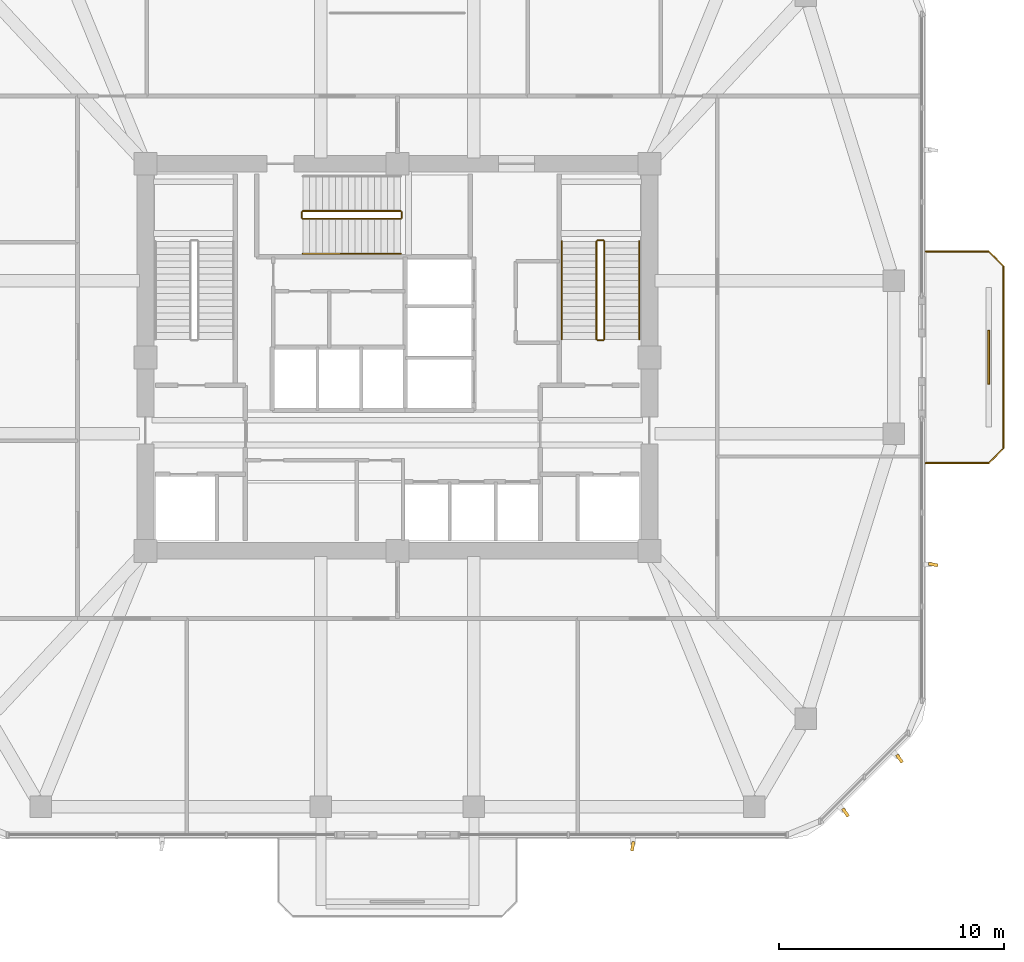
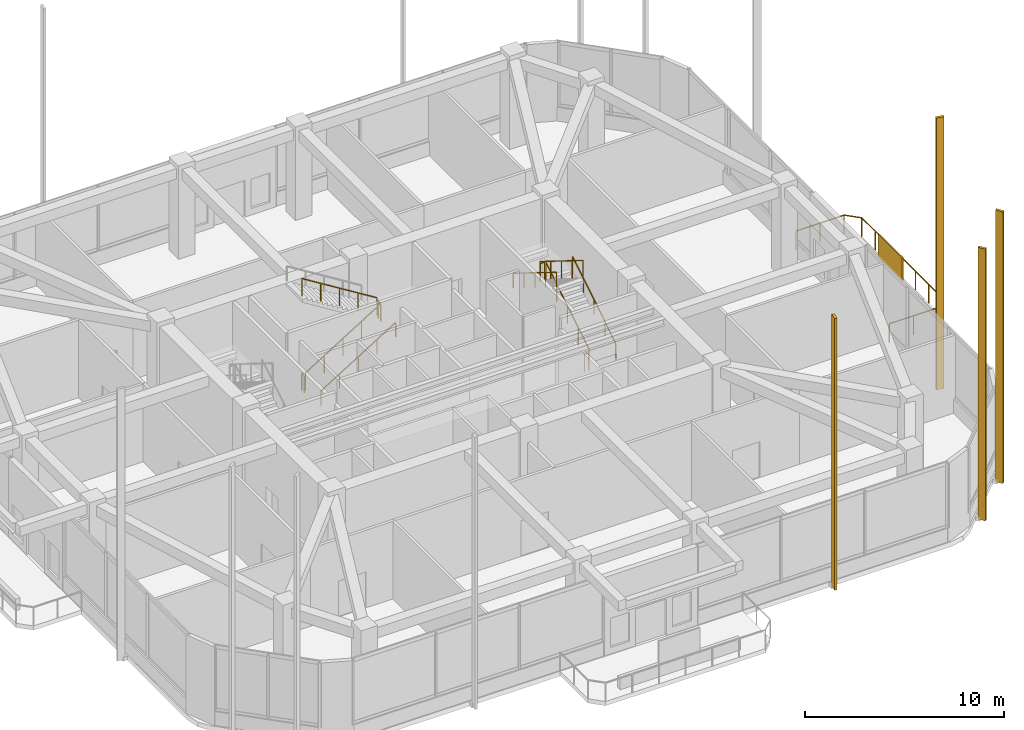
# One storey, part 11 of 12: 12 railings, 5 shading devices.
"""IFC4 building model written with IfcOpenShell, lengths in metres."""

from ifc_helpers import new_model, si_unit, derived_unit, direction, frame, origin, origin_2d, place, context, subcontext, project, spatial, rectangle, extrude, material, layer, layer_set, type_object, element, save


model = new_model("IFC4")

# Units and contexts
model_context = context("Model", 3, precision=1e-05, world=origin(), true_north=direction((0.0, 1.0)))
body_context = subcontext(model_context, "Body", "Model", "MODEL_VIEW")
ifc_project = project(units=[si_unit("LENGTHUNIT", "METRE"), si_unit("AREAUNIT", "SQUARE_METRE"), si_unit("VOLUMEUNIT", "CUBIC_METRE"), si_unit("PLANEANGLEUNIT", "RADIAN"), si_unit("MASSUNIT", "GRAM", prefix="KILO"), derived_unit("THERMALTRANSMITTANCEUNIT", [(si_unit("POWERUNIT", "WATT"), 1), (si_unit("LENGTHUNIT", "METRE"), -2), (si_unit("THERMODYNAMICTEMPERATUREUNIT", "KELVIN"), -1)])], contexts=[model_context])

# Site, building, storey
site_placement = place(None, origin())
site = spatial("IfcSite", under=ifc_project, at=site_placement, CompositionType="ELEMENT")
building_placement = place(site_placement, origin())
building = spatial("IfcBuilding", under=site, at=building_placement, Name="Koralith Skygarden Medical Center", CompositionType="ELEMENT")
storey_placement = place(building_placement, frame((0.0, 0.0, 129.06005859375)))
storey = spatial("IfcBuildingStorey", under=building, at=storey_placement, Name="L33", CompositionType="ELEMENT", Elevation=129.06005859375)

# Shading devices
ifc_material_1 = material(Name="Aluminium 6063-T6", Category="aluminium")
shading_device_type_1 = type_object("IfcShadingDeviceType", Name="Limestone-Clad Solar Storm Fin 420", PredefinedType="USERDEFINED", material=ifc_material_1)
for number, where, z_axis, x_axis, name in (
    (1, (47.4599609375, 4.169921875, -0.199951171875), (0.0, 0.0, 1.0), (-0.164324576475, -0.986406322753, 0.0), "L33 S Harmonic Solar Storm Fin 2"),
    (2, (56.91796875, 5.66796875, -0.199951171875), (0.0, 0.0, 1.0), (0.568863326036, -0.822432073968, 0.0), "L33 SE Harmonic Solar Storm Fin 1"),
    (3, (59.31591796875, 8.06591796875, -0.199951171875), (0.0, 0.0, 1.0), (0.581299577483, -0.813689622165, 0.0), "L33 SE Harmonic Solar Storm Fin 2"),
    (4, (60.81396484375, 16.68994140625, -0.199951171875), (0.0, 0.0, 1.0), (0.983794411976, -0.17930018116, 0.0), "L33 E Harmonic Solar Storm Fin 1"),
):
    element("IfcShadingDevice", number, at=place(storey_placement, frame(where, z_axis=z_axis, x_axis=x_axis)), inside=storey, type_object=shading_device_type_1, Name=name, ObjectType="SOLAR FIN", PredefinedType="USERDEFINED", context=body_context, shape_type="SweptSolid", body=[
        extrude(rectangle(XDim=0.419921875, YDim=0.139892578125, at=origin_2d()), origin(), (0.0, 0.0, 1.0), 16.7099609375),
    ])

# Railing
ifc_material_2 = material(Name="Steel ASTM A500 Grade C", Category="steel")
railing_type_1 = type_object("IfcRailingType", Name="Outdoor Terrace & Balcony Safety Guardrail 1180", PredefinedType="GUARDRAIL", material=ifc_material_2)
railing_1_placement = place(storey_placement, frame((60.48388671875, 21.199951171875, 0.0)))
element("IfcRailing", 5, at=railing_1_placement, inside=storey, type_object=railing_type_1, Name="L33 E Balcony Perimeter Guardrail", PredefinedType="GUARDRAIL", context=body_context, shape_type="SweptSolid", body=[
    extrude(rectangle(XDim=0.050048828125, YDim=0.050048828125, at=origin_2d()), frame((0.001953125, 0.0, 1.15478515625), z_axis=(1.0, 0.0, 0.0), x_axis=(0.0, 1.0, 0.0)), (0.0, 0.0, 1.0), 2.796142578125),
    extrude(rectangle(XDim=0.050048828125, YDim=0.050048828125, at=origin_2d()), frame((2.801513671875, 0.00146484375, 1.15478515625), z_axis=(0.707106781187, 0.707106781187, 0.0), x_axis=(-0.707106781187, 0.707106781187, 0.0)), (0.0, 0.0, 1.0), 0.91552734375),
    extrude(rectangle(XDim=0.050048828125, YDim=0.050048828125, at=origin_2d()), frame((3.4501953125, 0.652099609375, 1.15478515625), z_axis=(0.0, 1.0, 0.0), x_axis=(-1.0, 0.0, 0.0)), (0.0, 0.0, 1.0), 8.095947265625),
    extrude(rectangle(XDim=0.050048828125, YDim=0.050048828125, at=origin_2d()), frame((3.44873046875, 8.75146484375, 1.15478515625), z_axis=(-0.707106781187, 0.707106781187, 0.0), x_axis=(-0.707106781187, -0.707106781187, 0.0)), (0.0, 0.0, 1.0), 0.91552734375),
    extrude(rectangle(XDim=0.050048828125, YDim=0.050048828125, at=origin_2d()), frame((2.798095703125, 9.400146484375, 1.15478515625), z_axis=(-1.0, 0.0, 0.0), x_axis=(0.0, -1.0, 0.0)), (0.0, 0.0, 1.0), 2.796142578125),
    extrude(rectangle(XDim=0.0419921875, YDim=0.0419921875, at=origin_2d()), origin(), (0.0, 0.0, 1.0), 1.1279296875),
    extrude(rectangle(XDim=0.0419921875, YDim=0.0419921875, at=origin_2d()), frame((1.39990234375, 0.0, 0.0)), (0.0, 0.0, 1.0), 1.1279296875),
    extrude(rectangle(XDim=0.0419921875, YDim=0.0419921875, at=origin_2d()), frame((2.800048828125, 0.0, 0.0)), (0.0, 0.0, 1.0), 1.1279296875),
    extrude(rectangle(XDim=0.0419921875, YDim=0.0419921875, at=origin_2d()), frame((3.4501953125, 0.650146484375, 0.0)), (0.0, 0.0, 1.0), 1.1279296875),
    extrude(rectangle(XDim=0.0419921875, YDim=0.0419921875, at=origin_2d()), frame((3.4501953125, 2.0, 0.0)), (0.0, 0.0, 1.0), 1.1279296875),
    extrude(rectangle(XDim=0.0419921875, YDim=0.0419921875, at=origin_2d()), frame((3.4501953125, 3.35009765625, 0.0)), (0.0, 0.0, 1.0), 1.1279296875),
    extrude(rectangle(XDim=0.0419921875, YDim=0.0419921875, at=origin_2d()), frame((3.4501953125, 4.7001953125, 0.0)), (0.0, 0.0, 1.0), 1.1279296875),
    extrude(rectangle(XDim=0.0419921875, YDim=0.0419921875, at=origin_2d()), frame((3.4501953125, 6.050048828125, 0.0)), (0.0, 0.0, 1.0), 1.1279296875),
    extrude(rectangle(XDim=0.0419921875, YDim=0.0419921875, at=origin_2d()), frame((3.4501953125, 7.39990234375, 0.0)), (0.0, 0.0, 1.0), 1.1279296875),
    extrude(rectangle(XDim=0.0419921875, YDim=0.0419921875, at=origin_2d()), frame((3.4501953125, 8.75, 0.0)), (0.0, 0.0, 1.0), 1.1279296875),
    extrude(rectangle(XDim=0.0419921875, YDim=0.0419921875, at=origin_2d()), frame((2.800048828125, 9.400146484375, 0.0)), (0.0, 0.0, 1.0), 1.1279296875),
    extrude(rectangle(XDim=0.0419921875, YDim=0.0419921875, at=origin_2d()), frame((1.39990234375, 9.400146484375, 0.0)), (0.0, 0.0, 1.0), 1.1279296875),
    extrude(rectangle(XDim=0.0419921875, YDim=0.0419921875, at=origin_2d()), frame((0.0, 9.400146484375, 0.0)), (0.0, 0.0, 1.0), 1.1279296875),
])

# Shading device
ifc_layer = layer(ifc_material_1, 0.080078125)
ifc_layer_set = layer_set([ifc_layer], Name="Aluminium 6063-T6")
shading_device_type_2 = type_object("IfcShadingDeviceType", Name="Perforated Biophilic Balcony Trellis Screen", PredefinedType="USERDEFINED", material=ifc_layer_set)
shading_device_placement = place(storey_placement, frame((63.283935546875, 25.89990234375, 0.719970703125), z_axis=(0.0, 0.0, 1.0), x_axis=(0.0, 1.0, 0.0)))
element("IfcShadingDevice", 6, at=shading_device_placement, inside=storey, type_object=shading_device_type_2, Name="L33 E Biophilic Balcony Trellis Screen", ObjectType="HURRICANE SCREEN", PredefinedType="USERDEFINED", context=body_context, shape_type="SweptSolid", body=[
    extrude(rectangle(XDim=2.39990234375, YDim=0.080078125, at=origin_2d()), origin(), (0.0, 0.0, 1.0), 1.39990234375),
])

# Railings
railing_type_2 = type_object("IfcRailingType", Name="Stair Flight Tubular Handrail 920", PredefinedType="HANDRAIL", material=ifc_material_2)
railing_2_placement = place(storey_placement, frame((47.75, 26.699951171875, 0.179931640625)))
element("IfcRailing", 7, at=railing_2_placement, inside=storey, type_object=railing_type_2, Name="L33 ST2 stair handrail 1", PredefinedType="HANDRAIL", context=body_context, shape_type="SweptSolid", body=[
    extrude(rectangle(XDim=0.050048828125, YDim=0.050048828125, at=origin_2d()), frame((0.0, 0.001708984375, 0.89599609375), z_axis=(0.0, 0.849649743971, 0.527347430608), x_axis=(-1.0, 0.0, 0.0)), (0.0, 0.0, 1.0), 5.115966796875),
    extrude(rectangle(XDim=0.0419921875, YDim=0.0419921875, at=origin_2d()), origin(), (0.0, 0.0, 1.0), 0.867919921875),
    extrude(rectangle(XDim=0.0419921875, YDim=0.0419921875, at=origin_2d()), frame((0.0, 1.08740234375, 0.675048828125)), (0.0, 0.0, 1.0), 0.867919921875),
    extrude(rectangle(XDim=0.0419921875, YDim=0.0419921875, at=origin_2d()), frame((0.0, 2.175048828125, 1.35009765625)), (0.0, 0.0, 1.0), 0.867919921875),
    extrude(rectangle(XDim=0.0419921875, YDim=0.0419921875, at=origin_2d()), frame((0.0, 3.2626953125, 2.02490234375)), (0.0, 0.0, 1.0), 0.867919921875),
    extrude(rectangle(XDim=0.0419921875, YDim=0.0419921875, at=origin_2d()), frame((0.0, 4.35009765625, 2.699951171875)), (0.0, 0.0, 1.0), 0.867919921875),
])
railing_3_placement = place(storey_placement, frame((44.300048828125, 31.050048828125, 3.06005859375)))
element("IfcRailing", 8, at=railing_3_placement, inside=storey, type_object=railing_type_2, Name="L33 ST2 stair handrail 2", PredefinedType="HANDRAIL", context=body_context, shape_type="SweptSolid", body=[
    extrude(rectangle(XDim=0.050048828125, YDim=0.050048828125, at=origin_2d()), frame((0.0, -0.001708984375, 0.89599609375), z_axis=(0.0, -0.849649743971, 0.527347430608), x_axis=(1.0, 0.0, 0.0)), (0.0, 0.0, 1.0), 5.115966796875),
    extrude(rectangle(XDim=0.0419921875, YDim=0.0419921875, at=origin_2d()), origin(), (0.0, 0.0, 1.0), 0.867919921875),
    extrude(rectangle(XDim=0.0419921875, YDim=0.0419921875, at=origin_2d()), frame((0.0, -1.08740234375, 0.675048828125)), (0.0, 0.0, 1.0), 0.867919921875),
    extrude(rectangle(XDim=0.0419921875, YDim=0.0419921875, at=origin_2d()), frame((0.0, -2.175048828125, 1.35009765625)), (0.0, 0.0, 1.0), 0.867919921875),
    extrude(rectangle(XDim=0.0419921875, YDim=0.0419921875, at=origin_2d()), frame((0.0, -3.2626953125, 2.02490234375)), (0.0, 0.0, 1.0), 0.867919921875),
    extrude(rectangle(XDim=0.0419921875, YDim=0.0419921875, at=origin_2d()), frame((0.0, -4.35009765625, 2.699951171875)), (0.0, 0.0, 1.0), 0.867919921875),
])
railing_4_placement = place(storey_placement, frame((32.800048828125, 30.5, 0.179931640625)))
element("IfcRailing", 9, at=railing_4_placement, inside=storey, type_object=railing_type_2, Name="L33 ST3 stair handrail 1", PredefinedType="HANDRAIL", context=body_context, shape_type="SweptSolid", body=[
    extrude(rectangle(XDim=0.050048828125, YDim=0.050048828125, at=origin_2d()), frame((0.001708984375, 0.0, 0.89599609375), z_axis=(0.849636482215, 0.0, 0.527368797038), x_axis=(0.0, 1.0, 0.0)), (0.0, 0.0, 1.0), 5.11572265625),
    extrude(rectangle(XDim=0.0419921875, YDim=0.0419921875, at=origin_2d()), origin(), (0.0, 0.0, 1.0), 0.867919921875),
    extrude(rectangle(XDim=0.0419921875, YDim=0.0419921875, at=origin_2d()), frame((1.08740234375, 0.0, 0.675048828125)), (0.0, 0.0, 1.0), 0.867919921875),
    extrude(rectangle(XDim=0.0419921875, YDim=0.0419921875, at=origin_2d()), frame((2.1748046875, 0.0, 1.35009765625)), (0.0, 0.0, 1.0), 0.867919921875),
    extrude(rectangle(XDim=0.0419921875, YDim=0.0419921875, at=origin_2d()), frame((3.262451171875, 0.0, 2.02490234375)), (0.0, 0.0, 1.0), 0.867919921875),
    extrude(rectangle(XDim=0.0419921875, YDim=0.0419921875, at=origin_2d()), frame((4.349853515625, 0.0, 2.699951171875)), (0.0, 0.0, 1.0), 0.867919921875),
])
railing_type_3 = type_object("IfcRailingType", Name="Stair Well Safety Guardrail 1100", PredefinedType="GUARDRAIL", material=ifc_material_2)
railing_5_placement = place(storey_placement, frame((46.199951171875, 26.699951171875, 0.179931640625)))
element("IfcRailing", 10, at=railing_5_placement, inside=storey, type_object=railing_type_3, Name="L33 ST2 stair guard 1", PredefinedType="GUARDRAIL", context=body_context, shape_type="SweptSolid", body=[
    extrude(rectangle(XDim=0.050048828125, YDim=0.050048828125, at=origin_2d()), frame((0.0, 0.001708984375, 1.076171875), z_axis=(0.0, 0.849649743971, 0.527347430608), x_axis=(-1.0, 0.0, 0.0)), (0.0, 0.0, 1.0), 5.115966796875),
    extrude(rectangle(XDim=0.0419921875, YDim=0.0419921875, at=origin_2d()), origin(), (0.0, 0.0, 1.0), 1.048095703125),
    extrude(rectangle(XDim=0.0419921875, YDim=0.0419921875, at=origin_2d()), frame((0.0, 1.08740234375, 0.675048828125)), (0.0, 0.0, 1.0), 1.048095703125),
    extrude(rectangle(XDim=0.0419921875, YDim=0.0419921875, at=origin_2d()), frame((0.0, 2.175048828125, 1.35009765625)), (0.0, 0.0, 1.0), 1.048095703125),
    extrude(rectangle(XDim=0.0419921875, YDim=0.0419921875, at=origin_2d()), frame((0.0, 3.2626953125, 2.02490234375)), (0.0, 0.0, 1.0), 1.048095703125),
    extrude(rectangle(XDim=0.0419921875, YDim=0.0419921875, at=origin_2d()), frame((0.0, 4.35009765625, 2.699951171875)), (0.0, 0.0, 1.0), 1.048095703125),
])
railing_6_placement = place(storey_placement, frame((46.14990234375, 31.10009765625, 2.8798828125)))
element("IfcRailing", 11, at=railing_6_placement, inside=storey, type_object=railing_type_3, Name="L33 ST2 stair guard 2", PredefinedType="GUARDRAIL", context=body_context, shape_type="SweptSolid", body=[
    extrude(rectangle(XDim=0.050048828125, YDim=0.050048828125, at=origin_2d()), frame((-0.001953125, 0.0, 1.0751953125), z_axis=(-1.0, 0.0, 0.0), x_axis=(0.0, -1.0, 0.0)), (0.0, 0.0, 1.0), 0.24609375),
    extrude(rectangle(XDim=0.0419921875, YDim=0.0419921875, at=origin_2d()), origin(), (0.0, 0.0, 1.0), 1.048095703125),
    extrude(rectangle(XDim=0.0419921875, YDim=0.0419921875, at=origin_2d()), frame((-0.25, 0.0, 0.0)), (0.0, 0.0, 1.0), 1.048095703125),
])
railing_7_placement = place(storey_placement, frame((45.85009765625, 31.050048828125, 3.06005859375)))
element("IfcRailing", 12, at=railing_7_placement, inside=storey, type_object=railing_type_3, Name="L33 ST2 stair guard 3", PredefinedType="GUARDRAIL", context=body_context, shape_type="SweptSolid", body=[
    extrude(rectangle(XDim=0.050048828125, YDim=0.050048828125, at=origin_2d()), frame((0.0, -0.001708984375, 1.076171875), z_axis=(0.0, -0.849649743971, 0.527347430608), x_axis=(1.0, 0.0, 0.0)), (0.0, 0.0, 1.0), 5.115966796875),
    extrude(rectangle(XDim=0.0419921875, YDim=0.0419921875, at=origin_2d()), origin(), (0.0, 0.0, 1.0), 1.048095703125),
    extrude(rectangle(XDim=0.0419921875, YDim=0.0419921875, at=origin_2d()), frame((0.0, -1.08740234375, 0.675048828125)), (0.0, 0.0, 1.0), 1.048095703125),
    extrude(rectangle(XDim=0.0419921875, YDim=0.0419921875, at=origin_2d()), frame((0.0, -2.175048828125, 1.35009765625)), (0.0, 0.0, 1.0), 1.048095703125),
    extrude(rectangle(XDim=0.0419921875, YDim=0.0419921875, at=origin_2d()), frame((0.0, -3.2626953125, 2.02490234375)), (0.0, 0.0, 1.0), 1.048095703125),
    extrude(rectangle(XDim=0.0419921875, YDim=0.0419921875, at=origin_2d()), frame((0.0, -4.35009765625, 2.699951171875)), (0.0, 0.0, 1.0), 1.048095703125),
])
railing_8_placement = place(storey_placement, frame((46.14990234375, 26.64990234375, 0.0)))
element("IfcRailing", 13, at=railing_8_placement, inside=storey, type_object=railing_type_3, Name="L33 ST2 stair guard 4", PredefinedType="GUARDRAIL", context=body_context, shape_type="SweptSolid", body=[
    extrude(rectangle(XDim=0.050048828125, YDim=0.050048828125, at=origin_2d()), frame((-0.001953125, 0.0, 1.0751953125), z_axis=(-1.0, 0.0, 0.0), x_axis=(0.0, -1.0, 0.0)), (0.0, 0.0, 1.0), 0.24609375),
    extrude(rectangle(XDim=0.0419921875, YDim=0.0419921875, at=origin_2d()), origin(), (0.0, 0.0, 1.0), 1.048095703125),
    extrude(rectangle(XDim=0.0419921875, YDim=0.0419921875, at=origin_2d()), frame((-0.25, 0.0, 0.0)), (0.0, 0.0, 1.0), 1.048095703125),
])
railing_9_placement = place(storey_placement, frame((32.800048828125, 32.050048828125, 0.179931640625)))
element("IfcRailing", 14, at=railing_9_placement, inside=storey, type_object=railing_type_3, Name="L33 ST3 stair guard 1", PredefinedType="GUARDRAIL", context=body_context, shape_type="SweptSolid", body=[
    extrude(rectangle(XDim=0.050048828125, YDim=0.050048828125, at=origin_2d()), frame((0.001708984375, 0.0, 1.076171875), z_axis=(0.849636482215, 0.0, 0.527368797038), x_axis=(0.0, 1.0, 0.0)), (0.0, 0.0, 1.0), 5.11572265625),
    extrude(rectangle(XDim=0.0419921875, YDim=0.0419921875, at=origin_2d()), origin(), (0.0, 0.0, 1.0), 1.048095703125),
    extrude(rectangle(XDim=0.0419921875, YDim=0.0419921875, at=origin_2d()), frame((1.08740234375, 0.0, 0.675048828125)), (0.0, 0.0, 1.0), 1.048095703125),
    extrude(rectangle(XDim=0.0419921875, YDim=0.0419921875, at=origin_2d()), frame((2.1748046875, 0.0, 1.35009765625)), (0.0, 0.0, 1.0), 1.048095703125),
    extrude(rectangle(XDim=0.0419921875, YDim=0.0419921875, at=origin_2d()), frame((3.262451171875, 0.0, 2.02490234375)), (0.0, 0.0, 1.0), 1.048095703125),
    extrude(rectangle(XDim=0.0419921875, YDim=0.0419921875, at=origin_2d()), frame((4.349853515625, 0.0, 2.699951171875)), (0.0, 0.0, 1.0), 1.048095703125),
])
railing_10_placement = place(storey_placement, frame((37.199951171875, 32.10009765625, 2.8798828125)))
element("IfcRailing", 15, at=railing_10_placement, inside=storey, type_object=railing_type_3, Name="L33 ST3 stair guard 2", PredefinedType="GUARDRAIL", context=body_context, shape_type="SweptSolid", body=[
    extrude(rectangle(XDim=0.050048828125, YDim=0.050048828125, at=origin_2d()), frame((0.0, 0.001953125, 1.0751953125), z_axis=(0.0, 1.0, 0.0), x_axis=(-1.0, 0.0, 0.0)), (0.0, 0.0, 1.0), 0.24609375),
    extrude(rectangle(XDim=0.0419921875, YDim=0.0419921875, at=origin_2d()), origin(), (0.0, 0.0, 1.0), 1.048095703125),
    extrude(rectangle(XDim=0.0419921875, YDim=0.0419921875, at=origin_2d()), frame((0.0, 0.25, 0.0)), (0.0, 0.0, 1.0), 1.048095703125),
])
railing_11_placement = place(storey_placement, frame((37.14990234375, 32.39990234375, 3.06005859375)))
element("IfcRailing", 16, at=railing_11_placement, inside=storey, type_object=railing_type_3, Name="L33 ST3 stair guard 3", PredefinedType="GUARDRAIL", context=body_context, shape_type="SweptSolid", body=[
    extrude(rectangle(XDim=0.050048828125, YDim=0.050048828125, at=origin_2d()), frame((-0.001708984375, 0.0, 1.076171875), z_axis=(-0.849636482215, 0.0, 0.527368797038), x_axis=(0.0, -1.0, 0.0)), (0.0, 0.0, 1.0), 5.11572265625),
    extrude(rectangle(XDim=0.0419921875, YDim=0.0419921875, at=origin_2d()), origin(), (0.0, 0.0, 1.0), 1.048095703125),
    extrude(rectangle(XDim=0.0419921875, YDim=0.0419921875, at=origin_2d()), frame((-1.08740234375, 0.0, 0.675048828125)), (0.0, 0.0, 1.0), 1.048095703125),
    extrude(rectangle(XDim=0.0419921875, YDim=0.0419921875, at=origin_2d()), frame((-2.1748046875, 0.0, 1.35009765625)), (0.0, 0.0, 1.0), 1.048095703125),
    extrude(rectangle(XDim=0.0419921875, YDim=0.0419921875, at=origin_2d()), frame((-3.262451171875, 0.0, 2.02490234375)), (0.0, 0.0, 1.0), 1.048095703125),
    extrude(rectangle(XDim=0.0419921875, YDim=0.0419921875, at=origin_2d()), frame((-4.349853515625, 0.0, 2.699951171875)), (0.0, 0.0, 1.0), 1.048095703125),
])
railing_12_placement = place(storey_placement, frame((32.75, 32.10009765625, 0.0)))
element("IfcRailing", 17, at=railing_12_placement, inside=storey, type_object=railing_type_3, Name="L33 ST3 stair guard 4", PredefinedType="GUARDRAIL", context=body_context, shape_type="SweptSolid", body=[
    extrude(rectangle(XDim=0.050048828125, YDim=0.050048828125, at=origin_2d()), frame((0.0, 0.001953125, 1.0751953125), z_axis=(0.0, 1.0, 0.0), x_axis=(-1.0, 0.0, 0.0)), (0.0, 0.0, 1.0), 0.24609375),
    extrude(rectangle(XDim=0.0419921875, YDim=0.0419921875, at=origin_2d()), origin(), (0.0, 0.0, 1.0), 1.048095703125),
    extrude(rectangle(XDim=0.0419921875, YDim=0.0419921875, at=origin_2d()), frame((0.0, 0.25, 0.0)), (0.0, 0.0, 1.0), 1.048095703125),
])

save(model, "model.ifc")
